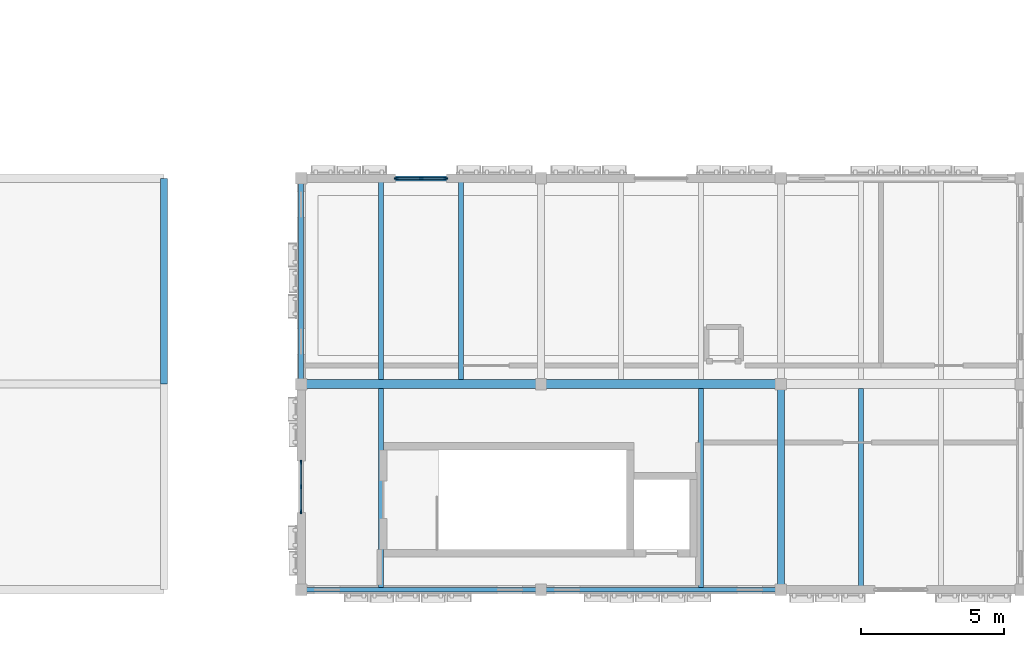
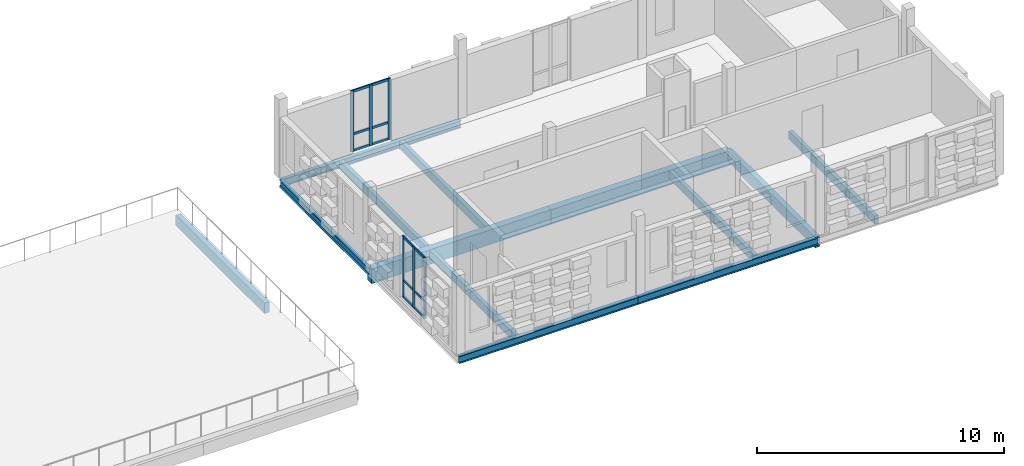
# One storey, part 12 of 57: 13 beams, 12 members, 2 elements without a shape of their own.
"""IFC4 building model written with IfcOpenShell, lengths in metres."""

import ifcopenshell
import ifcopenshell.guid

model = None  # the IFC model being written
_history = None  # IfcOwnerHistory: only IFC2X3 demands one
_inside = {}  # id of a spatial element -> (the spatial element, [elements in it])
_under = {}  # id of a project, library or spatial element -> (it, [spatial elements below it])
_declared = {}  # id of a project -> (the project, [libraries it declares])
_typed = {}  # id of a type object -> (the type object, [elements of that type])
_made_of = {}  # id of a material, layer set ... -> (it, [elements and type objects made of it])


def new_model(schema):
    """Start an empty IFC model of exactly this schema.

    Asked for "IFC4X3", IfcOpenShell would pick the latest addendum, in which some entities
    have other attributes; the version numbers below select the first issue.
    IFC2X3 requires an IfcOwnerHistory on every rooted entity: one is made here for all.
    """
    global model, _history
    if schema == "IFC4X3":
        model = ifcopenshell.file(schema_version=(4, 3, 0, 0))
    else:
        model = ifcopenshell.file(schema=schema)
    _inside.clear()
    _under.clear()
    _declared.clear()
    _typed.clear()
    _made_of.clear()
    _history = None
    if model.schema == "IFC2X3":
        org = make("IfcOrganization", Name="unknown")
        user = make(
            "IfcPersonAndOrganization",
            ThePerson=make("IfcPerson", FamilyName="unknown"),
            TheOrganization=org,
        )
        app = make(
            "IfcApplication",
            ApplicationDeveloper=org,
            Version="unknown",
            ApplicationFullName="unknown",
            ApplicationIdentifier="unknown",
        )
        _history = make(
            "IfcOwnerHistory",
            OwningUser=user,
            OwningApplication=app,
            ChangeAction="ADDED",
            CreationDate=0,
        )
    return model


def make(cls, **values):
    """One entity of the class cls with the attributes given. An attribute that is None is left unset."""
    return model.create_entity(
        cls, **{name: value for name, value in values.items() if value is not None}
    )


def rooted(cls, **values):
    """An entity with a GlobalId (a new one), such as an element, a storey or a relation."""
    return make(cls, GlobalId=ifcopenshell.guid.new(), OwnerHistory=_history, **values)


def si_unit(unit_type, name, prefix=None):
    """IfcSIUnit, for example si_unit("LENGTHUNIT", "METRE", prefix="MILLI")."""
    return make("IfcSIUnit", UnitType=unit_type, Prefix=prefix, Name=name)


def assignment(units):
    """IfcUnitAssignment: the units of a project."""
    return None if units is None else make("IfcUnitAssignment", Units=units)


def point(xyz):
    """IfcCartesianPoint."""
    return None if xyz is None else make("IfcCartesianPoint", Coordinates=xyz)


def direction(xyz):
    """IfcDirection."""
    return None if xyz is None else make("IfcDirection", DirectionRatios=xyz)


def frame(location, z_axis=None, x_axis=None):
    """IfcAxis2Placement3D, a coordinate frame: its origin and axes. An axis left out is left unset."""
    return make(
        "IfcAxis2Placement3D",
        Location=point(location),
        Axis=direction(z_axis),
        RefDirection=direction(x_axis),
    )


def frame_2d(location, x_axis=None):
    """IfcAxis2Placement2D, a coordinate frame in the plane: its origin and x axis."""
    return make(
        "IfcAxis2Placement2D", Location=point(location), RefDirection=direction(x_axis)
    )


def origin():
    """The frame at (0, 0, 0) with its axes left unset."""
    return frame((0.0, 0.0, 0.0))


def origin_2d():
    """The frame at (0, 0) in the plane with its x axis left unset."""
    return frame_2d((0.0, 0.0))


def place(relative_to, where):
    """IfcLocalPlacement: puts the frame where relative to a parent placement (None: the world)."""
    return make(
        "IfcLocalPlacement", PlacementRelTo=relative_to, RelativePlacement=where
    )


def context(
    kind, dimensions, precision=None, world=None, true_north=None, identifier=None
):
    """IfcGeometricRepresentationContext, for example the 3D "Model" context."""
    return make(
        "IfcGeometricRepresentationContext",
        ContextIdentifier=identifier,
        ContextType=kind,
        CoordinateSpaceDimension=dimensions,
        Precision=precision,
        WorldCoordinateSystem=world,
        TrueNorth=true_north,
    )


def subcontext(parent, identifier, kind, view, scale=None):
    """IfcGeometricRepresentationSubContext, for example "Body" below "Model"."""
    return make(
        "IfcGeometricRepresentationSubContext",
        ContextIdentifier=identifier,
        ContextType=kind,
        ParentContext=parent,
        TargetScale=scale,
        TargetView=view,
    )


def project(units=None, contexts=None):
    """IfcProject with its units and contexts."""
    return rooted(
        "IfcProject",
        Name="project",
        RepresentationContexts=contexts,
        UnitsInContext=assignment(units),
    )


def spatial(cls, under=None, at=None, **own):
    """A site, building, storey or space (cls), placed at a placement, below another one or the project."""
    s = rooted(cls, ObjectPlacement=at, **own)
    if under is not None:
        _under.setdefault(under.id(), (under, []))[1].append(s)
    return s


def profile(cls, at=None, kind="AREA", **sizes):
    """A parametric profile (cls). Its sizes go by their IFC names, for example OverallWidth=200.0."""
    return make(cls, ProfileType=kind, Position=at, **sizes)


def rectangle(**sizes):
    """IfcRectangleProfileDef."""
    return profile("IfcRectangleProfileDef", **sizes)


def i_section(**sizes):
    """IfcIShapeProfileDef."""
    return profile("IfcIShapeProfileDef", **sizes)


def extrude(swept, where, along, depth):
    """IfcExtrudedAreaSolid: the profile swept, set in the frame where, extruded along a direction by depth."""
    return make(
        "IfcExtrudedAreaSolid",
        SweptArea=swept,
        Position=where,
        ExtrudedDirection=direction(along),
        Depth=depth,
    )


def shape(context_of_items, identifier, shape_type, items):
    """IfcShapeRepresentation: the items that make up one representation, for example the "Body"."""
    return make(
        "IfcShapeRepresentation",
        ContextOfItems=context_of_items,
        RepresentationIdentifier=identifier,
        RepresentationType=shape_type,
        Items=items,
    )


def material(Name=None, Category=None):
    """IfcMaterial."""
    return make("IfcMaterial", Name=Name, Category=Category)


def material_profile(
    of_material, cross_section, Name=None, Category=None, Priority=None
):
    """IfcMaterialProfile: a cross section and its material."""
    return make(
        "IfcMaterialProfile",
        Name=Name,
        Material=of_material,
        Profile=cross_section,
        Priority=Priority,
        Category=Category,
    )


def profile_set(profiles, Name=None, composite=None):
    """IfcMaterialProfileSet."""
    return make(
        "IfcMaterialProfileSet",
        Name=Name,
        MaterialProfiles=profiles,
        CompositeProfile=composite,
    )


def made_of(thing, what):
    """Note that an element or type object is made of a material, layer set ...; save() writes the relation."""
    if what is not None:
        _made_of.setdefault(what.id(), (what, []))[1].append(thing)
    return thing


def type_object(cls, material=None, **own):
    """A type object (cls), such as IfcWallType, which elements share."""
    return made_of(rooted(cls, **own), material)


def element(
    cls,
    number,
    at=None,
    inside=None,
    cuts=None,
    type_object=None,
    material=None,
    context=None,
    identifier="Body",
    shape_type=None,
    held_by="IfcProductDefinitionShape",
    body=None,
    shapes=None,
    **own,
):
    """One element of the class cls, such as IfcWall. Its Tag is "e" and its number.

    at: its placement. inside: the storey or other place that contains it. cuts: it is an
    opening in that element (IfcRelVoidsElement). A single representation is given by context,
    identifier, shape_type and body (its items); several are given by shapes. held_by: the class
    of the entity that holds the representations. save() writes the other relations.
    """
    e = rooted(cls, Tag="e%d" % number, ObjectPlacement=at, **own)
    if body is not None:
        shapes = [shape(context, identifier, shape_type, body)]
    if shapes is not None:
        e.Representation = make(held_by, Representations=shapes)
    if inside is not None:
        _inside.setdefault(inside.id(), (inside, []))[1].append(e)
    if cuts is not None:
        rooted(
            "IfcRelVoidsElement", RelatingBuildingElement=cuts, RelatedOpeningElement=e
        )
    if type_object is not None:
        _typed.setdefault(type_object.id(), (type_object, []))[1].append(e)
    return made_of(e, material)


def aggregate(whole, parts):
    """IfcRelAggregates: a whole, such as a stair, and the parts it consists of."""
    return rooted("IfcRelAggregates", RelatingObject=whole, RelatedObjects=parts)


def save(model, path):
    """Write the relations noted so far, then the file.

    IfcRelAggregates (storeys below a building ...), IfcRelContainedInSpatialStructure (elements
    in a storey), IfcRelDefinesByType, IfcRelAssociatesMaterial and IfcRelDeclares: one each for
    every whole, place, type object, material and project.
    """
    for whole, parts in _under.values():
        aggregate(whole, parts)
    for where, things in _inside.values():
        rooted(
            "IfcRelContainedInSpatialStructure",
            RelatedElements=things,
            RelatingStructure=where,
        )
    for kind, things in _typed.values():
        rooted("IfcRelDefinesByType", RelatedObjects=things, RelatingType=kind)
    for what, things in _made_of.values():
        rooted("IfcRelAssociatesMaterial", RelatedObjects=things, RelatingMaterial=what)
    for by, libraries in _declared.values():
        rooted("IfcRelDeclares", RelatingContext=by, RelatedDefinitions=libraries)
    model.write(path)


model = new_model("IFC4")

# Units and contexts
model_context = context("Model", 3, precision=1e-05, world=origin(), true_north=direction((0.0, 1.0)))
body_context = subcontext(model_context, "Body", "Model", "MODEL_VIEW")
ifc_project = project(units=[si_unit("LENGTHUNIT", "METRE"), si_unit("AREAUNIT", "SQUARE_METRE"), si_unit("VOLUMEUNIT", "CUBIC_METRE"), si_unit("PLANEANGLEUNIT", "RADIAN"), si_unit("MASSUNIT", "GRAM", prefix="KILO")], contexts=[model_context])

# Site, building, storey
site_placement = place(None, origin())
site = spatial("IfcSite", under=ifc_project, at=site_placement, CompositionType="ELEMENT")
building_placement = place(site_placement, origin())
building = spatial("IfcBuilding", under=site, at=building_placement, Name="Kahlenmark Community Centre", CompositionType="ELEMENT")
storey_placement = place(building_placement, frame((0.0, 0.0, 13.800048828125)))
storey = spatial("IfcBuildingStorey", under=building, at=storey_placement, Name="L03", CompositionType="ELEMENT", Elevation=13.800048828125)

# Beams
ifc_material_1 = material(Name="Glulam GL32h", Category="wood")
ifc_material_profile_1 = material_profile(ifc_material_1, rectangle(XDim=0.239990234375, YDim=0.52001953125, at=origin_2d()), Name="GL32h 240x520")
ifc_profile_set_1 = profile_set([ifc_material_profile_1], Name="Glulam GL32h")
beam_type_1 = type_object("IfcBeamType", Name="BT-BEAM-GL32h240x520", PredefinedType="BEAM", material=ifc_profile_set_1)
for number, where, z_axis, x_axis, name in (
    (1, (108.39990234375, 8.800048828125, -0.4599609375), (0.0, 1.0, 0.0), (-1.0, 0.0, 0.0), "L03 beam BG-GL32h240x520"),
    (2, (86.800048828125, 16.0, -0.52001953125), (0.0, 1.0, 0.0), (-1.0, 0.0, 0.0), "L03 beam BG-RF520"),
):
    element("IfcBeam", number, at=place(storey_placement, frame(where, z_axis=z_axis, x_axis=x_axis)), inside=storey, type_object=beam_type_1, Name=name, PredefinedType="BEAM", context=body_context, shape_type="SweptSolid", body=[
        extrude(rectangle(XDim=0.239990234375, YDim=0.52001953125, at=origin_2d()), origin(), (0.0, 0.0, 1.0), 7.199951171875),
    ])
ifc_material_profile_2 = material_profile(ifc_material_1, rectangle(XDim=0.320068359375, YDim=0.719970703125, at=origin_2d()), Name="GL32h 320x720")
ifc_profile_set_2 = profile_set([ifc_material_profile_2], Name="Glulam GL32h")
beam_type_2 = type_object("IfcBeamType", Name="BT-BEAM-GL32h320x720", PredefinedType="BEAM", material=ifc_profile_set_2)
for number, where, z_axis, x_axis, name in (
    (3, (91.60009765625, 16.0, -0.56005859375), (1.0, 0.0, 0.0), (0.0, 1.0, 0.0), "L03 beam BG-GL32h320x720"),
    (4, (100.0, 16.0, -0.56005859375), (1.0, 0.0, 0.0), (0.0, 1.0, 0.0), "L03 beam BG-GL32h320x720"),
):
    element("IfcBeam", number, at=place(storey_placement, frame(where, z_axis=z_axis, x_axis=x_axis)), inside=storey, type_object=beam_type_2, Name=name, PredefinedType="BEAM", context=body_context, shape_type="SweptSolid", body=[
        extrude(rectangle(XDim=0.320068359375, YDim=0.719970703125, at=origin_2d()), origin(), (0.0, 0.0, 1.0), 8.39990234375),
    ])
ifc_material_2 = material(Name="Glulam GL28h", Category="wood")
ifc_material_profile_3 = material_profile(ifc_material_2, rectangle(XDim=0.179931640625, YDim=0.39990234375, at=origin_2d()), Name="GL28h 180x400")
ifc_profile_set_3 = profile_set([ifc_material_profile_3], Name="Glulam GL28h")
beam_type_3 = type_object("IfcBeamType", Name="BT-JOIST-GL28h180x400", PredefinedType="JOIST", material=ifc_profile_set_3)
for number, where, z_axis, x_axis, name in (
    (5, (94.39990234375, 8.883056640625, -0.400146484375), (0.0, 1.0, 0.0), (-1.0, 0.0, 0.0), "L03 joist BJ-GL28h180x400"),
    (6, (94.39990234375, 16.157958984375, -0.400146484375), (0.0, 1.0, 0.0), (-1.0, 0.0, 0.0), "L03 joist BJ-GL28h180x400"),
    (7, (97.199951171875, 16.157958984375, -0.400146484375), (0.0, 1.0, 0.0), (-1.0, 0.0, 0.0), "L03 joist BJ-GL28h180x400"),
    (8, (105.60009765625, 8.883056640625, -0.400146484375), (0.0, 1.0, 0.0), (-1.0, 0.0, 0.0), "L03 joist BJ-GL28h180x400"),
    (9, (111.199951171875, 8.883056640625, -0.400146484375), (0.0, 1.0, 0.0), (-1.0, 0.0, 0.0), "L03 joist BJ-GL28h180x400"),
):
    element("IfcBeam", number, at=place(storey_placement, frame(where, z_axis=z_axis, x_axis=x_axis)), inside=storey, type_object=beam_type_3, Name=name, PredefinedType="JOIST", context=body_context, shape_type="SweptSolid", body=[
        extrude(rectangle(XDim=0.179931640625, YDim=0.39990234375, at=origin_2d()), origin(), (0.0, 0.0, 1.0), 6.958984375),
    ])
ifc_material_3 = material(Name="Steel S355", Category="steel")
ifc_material_profile_4 = material_profile(ifc_material_3, i_section(OverallWidth=0.169921875, OverallDepth=0.360107421875, WebThickness=0.008056640625, FlangeThickness=0.0126953125, at=origin_2d()), Name="IPE 360")
ifc_profile_set_4 = profile_set([ifc_material_profile_4], Name="Steel S355")
beam_type_4 = type_object("IfcBeamType", Name="BT-SPANDREL-IPE360", PredefinedType="SPANDREL", material=ifc_profile_set_4)
for number, where, z_axis, x_axis, name in (
    (10, (91.60009765625, 8.800048828125, -0.380126953125), (1.0, 0.0, 0.0), (0.0, 1.0, 0.0), "L03 spandrel SP-IPE360"),
    (11, (100.0, 8.800048828125, -0.380126953125), (1.0, 0.0, 0.0), (0.0, 1.0, 0.0), "L03 spandrel SP-IPE360"),
    (12, (91.60009765625, 23.199951171875, -0.380126953125), (1.0, 0.0, 0.0), (0.0, 1.0, 0.0), "L03 spandrel SP-IPE360"),
):
    element("IfcBeam", number, at=place(storey_placement, frame(where, z_axis=z_axis, x_axis=x_axis)), inside=storey, type_object=beam_type_4, Name=name, PredefinedType="SPANDREL", context=body_context, shape_type="SweptSolid", body=[
        extrude(i_section(OverallWidth=0.169921875, OverallDepth=0.360107421875, WebThickness=0.008056640625, FlangeThickness=0.0126953125, at=origin_2d()), origin(), (0.0, 0.0, 1.0), 8.39990234375),
    ])
beam_placement = place(storey_placement, frame((91.60009765625, 16.0, -0.380126953125), z_axis=(0.0, 1.0, 0.0), x_axis=(-1.0, 0.0, 0.0)))
element("IfcBeam", 13, at=beam_placement, inside=storey, type_object=beam_type_4, Name="L03 spandrel SP-IPE360", PredefinedType="SPANDREL", context=body_context, shape_type="SweptSolid", body=[
    extrude(i_section(OverallWidth=0.169921875, OverallDepth=0.360107421875, WebThickness=0.008056640625, FlangeThickness=0.0126953125, at=origin_2d()), origin(), (0.0, 0.0, 1.0), 7.199951171875),
])

# Curtain wall, members
ifc_material_4 = material(Name="Anodised aluminium unitised curtain wall", Category="aluminium")
curtain_wall_type = type_object("IfcCurtainWallType", Name="CWT-UNIT-180X301", PredefinedType="USERDEFINED", material=ifc_material_4)
curtain_wall_1_placement = place(storey_placement, origin())
curtain_wall_1 = element("IfcCurtainWall", 14, at=curtain_wall_1_placement, inside=storey, type_object=curtain_wall_type, Name="Unitised curtain wall CW-130", ObjectType="UNITISED CURTAIN WALL", PredefinedType="USERDEFINED")
ifc_material_5 = material(Name="Anodised aluminium 6063-T6", Category="aluminium")
ifc_material_profile_5 = material_profile(ifc_material_5, rectangle(XDim=0.06005859375, YDim=0.139892578125, at=origin_2d()), Name="ALU MULLION 60x140")
ifc_profile_set_5 = profile_set([ifc_material_profile_5], Name="Anodised aluminium 6063-T6")
member_type_1 = type_object("IfcMemberType", Name="MT-MUL-140", PredefinedType="MULLION", material=ifc_profile_set_5)
member_1_placement = place(storey_placement, frame((96.669921875, 23.199951171875, 0.0), z_axis=(0.0, 0.0, 1.0), x_axis=(0.0, -1.0, 0.0)))
member_1 = element("IfcMember", 15, at=member_1_placement, type_object=member_type_1, Name="CW-130 mullion 1", PredefinedType="MULLION", context=body_context, shape_type="SweptSolid", body=[
    extrude(rectangle(XDim=0.06005859375, YDim=0.139892578125, at=origin_2d()), origin(), (0.0, 0.0, 1.0), 3.010009765625),
])
member_2_placement = place(storey_placement, frame((95.800048828125, 23.199951171875, 0.0), z_axis=(0.0, 0.0, 1.0), x_axis=(0.0, -1.0, 0.0)))
member_2 = element("IfcMember", 16, at=member_2_placement, type_object=member_type_1, Name="CW-130 mullion 2", PredefinedType="MULLION", context=body_context, shape_type="SweptSolid", body=[
    extrude(rectangle(XDim=0.06005859375, YDim=0.139892578125, at=origin_2d()), origin(), (0.0, 0.0, 1.0), 3.010009765625),
])
member_3_placement = place(storey_placement, frame((94.929931640625, 23.199951171875, 0.0), z_axis=(0.0, 0.0, 1.0), x_axis=(0.0, -1.0, 0.0)))
member_3 = element("IfcMember", 17, at=member_3_placement, type_object=member_type_1, Name="CW-130 mullion 3", PredefinedType="MULLION", context=body_context, shape_type="SweptSolid", body=[
    extrude(rectangle(XDim=0.06005859375, YDim=0.139892578125, at=origin_2d()), origin(), (0.0, 0.0, 1.0), 3.010009765625),
])

curtain_wall_2_placement = place(storey_placement, origin())
curtain_wall_2 = element("IfcCurtainWall", 18, at=curtain_wall_2_placement, inside=storey, type_object=curtain_wall_type, Name="Unitised curtain wall CW-132", ObjectType="UNITISED CURTAIN WALL", PredefinedType="USERDEFINED")
member_4_placement = place(storey_placement, frame((91.60009765625, 13.27001953125, 0.0), z_axis=(0.0, 0.0, 1.0), x_axis=(1.0, 0.0, 0.0)))
member_4 = element("IfcMember", 19, at=member_4_placement, type_object=member_type_1, Name="CW-132 mullion 1", PredefinedType="MULLION", context=body_context, shape_type="SweptSolid", body=[
    extrude(rectangle(XDim=0.06005859375, YDim=0.139892578125, at=origin_2d()), origin(), (0.0, 0.0, 1.0), 3.010009765625),
])
member_5_placement = place(storey_placement, frame((91.60009765625, 12.39990234375, 0.0), z_axis=(0.0, 0.0, 1.0), x_axis=(1.0, 0.0, 0.0)))
member_5 = element("IfcMember", 20, at=member_5_placement, type_object=member_type_1, Name="CW-132 mullion 2", PredefinedType="MULLION", context=body_context, shape_type="SweptSolid", body=[
    extrude(rectangle(XDim=0.06005859375, YDim=0.139892578125, at=origin_2d()), origin(), (0.0, 0.0, 1.0), 3.010009765625),
])
member_6_placement = place(storey_placement, frame((91.60009765625, 11.530029296875, 0.0), z_axis=(0.0, 0.0, 1.0), x_axis=(1.0, 0.0, 0.0)))
member_6 = element("IfcMember", 21, at=member_6_placement, type_object=member_type_1, Name="CW-132 mullion 3", PredefinedType="MULLION", context=body_context, shape_type="SweptSolid", body=[
    extrude(rectangle(XDim=0.06005859375, YDim=0.139892578125, at=origin_2d()), origin(), (0.0, 0.0, 1.0), 3.010009765625),
])

# Member
ifc_material_profile_6 = material_profile(ifc_material_5, rectangle(XDim=0.06005859375, YDim=0.1201171875, at=origin_2d()), Name="ALU TRANSOM 60x120")
ifc_profile_set_6 = profile_set([ifc_material_profile_6], Name="Anodised aluminium 6063-T6")
member_type_2 = type_object("IfcMemberType", Name="MT-TRN-120", PredefinedType="USERDEFINED", material=ifc_profile_set_6)
member_7_placement = place(storey_placement, frame((96.669921875, 23.199951171875, 0.0400390625), z_axis=(-1.0, 0.0, 0.0), x_axis=(0.0, -1.0, 0.0)))
member_7 = element("IfcMember", 22, at=member_7_placement, type_object=member_type_2, Name="CW-130 transom 1", ObjectType="TRANSOM", PredefinedType="USERDEFINED", context=body_context, shape_type="SweptSolid", body=[
    extrude(rectangle(XDim=0.06005859375, YDim=0.1201171875, at=origin_2d()), origin(), (0.0, 0.0, 1.0), 1.739990234375),
])

member_8_placement = place(storey_placement, frame((96.669921875, 23.199951171875, 0.849853515625), z_axis=(-1.0, 0.0, 0.0), x_axis=(0.0, -1.0, 0.0)))
member_8 = element("IfcMember", 23, at=member_8_placement, type_object=member_type_2, Name="CW-130 transom 2", ObjectType="TRANSOM", PredefinedType="USERDEFINED", context=body_context, shape_type="SweptSolid", body=[
    extrude(rectangle(XDim=0.06005859375, YDim=0.1201171875, at=origin_2d()), origin(), (0.0, 0.0, 1.0), 1.739990234375),
])

member_9_placement = place(storey_placement, frame((96.669921875, 23.199951171875, 2.969970703125), z_axis=(-1.0, 0.0, 0.0), x_axis=(0.0, -1.0, 0.0)))
member_9 = element("IfcMember", 24, at=member_9_placement, type_object=member_type_2, Name="CW-130 transom 3", ObjectType="TRANSOM", PredefinedType="USERDEFINED", context=body_context, shape_type="SweptSolid", body=[
    extrude(rectangle(XDim=0.06005859375, YDim=0.1201171875, at=origin_2d()), origin(), (0.0, 0.0, 1.0), 1.739990234375),
])

aggregate(curtain_wall_1, [member_1, member_2, member_3, member_7, member_8, member_9])

member_10_placement = place(storey_placement, frame((91.60009765625, 13.27001953125, 0.0400390625), z_axis=(0.0, -1.0, 0.0), x_axis=(1.0, 0.0, 0.0)))
member_10 = element("IfcMember", 25, at=member_10_placement, type_object=member_type_2, Name="CW-132 transom 1", ObjectType="TRANSOM", PredefinedType="USERDEFINED", context=body_context, shape_type="SweptSolid", body=[
    extrude(rectangle(XDim=0.06005859375, YDim=0.1201171875, at=origin_2d()), origin(), (0.0, 0.0, 1.0), 1.739990234375),
])

member_11_placement = place(storey_placement, frame((91.60009765625, 13.27001953125, 0.849853515625), z_axis=(0.0, -1.0, 0.0), x_axis=(1.0, 0.0, 0.0)))
member_11 = element("IfcMember", 26, at=member_11_placement, type_object=member_type_2, Name="CW-132 transom 2", ObjectType="TRANSOM", PredefinedType="USERDEFINED", context=body_context, shape_type="SweptSolid", body=[
    extrude(rectangle(XDim=0.06005859375, YDim=0.1201171875, at=origin_2d()), origin(), (0.0, 0.0, 1.0), 1.739990234375),
])

member_12_placement = place(storey_placement, frame((91.60009765625, 13.27001953125, 2.969970703125), z_axis=(0.0, -1.0, 0.0), x_axis=(1.0, 0.0, 0.0)))
member_12 = element("IfcMember", 27, at=member_12_placement, type_object=member_type_2, Name="CW-132 transom 3", ObjectType="TRANSOM", PredefinedType="USERDEFINED", context=body_context, shape_type="SweptSolid", body=[
    extrude(rectangle(XDim=0.06005859375, YDim=0.1201171875, at=origin_2d()), origin(), (0.0, 0.0, 1.0), 1.739990234375),
])

aggregate(curtain_wall_2, [member_4, member_5, member_6, member_10, member_11, member_12])

save(model, "model.ifc")
